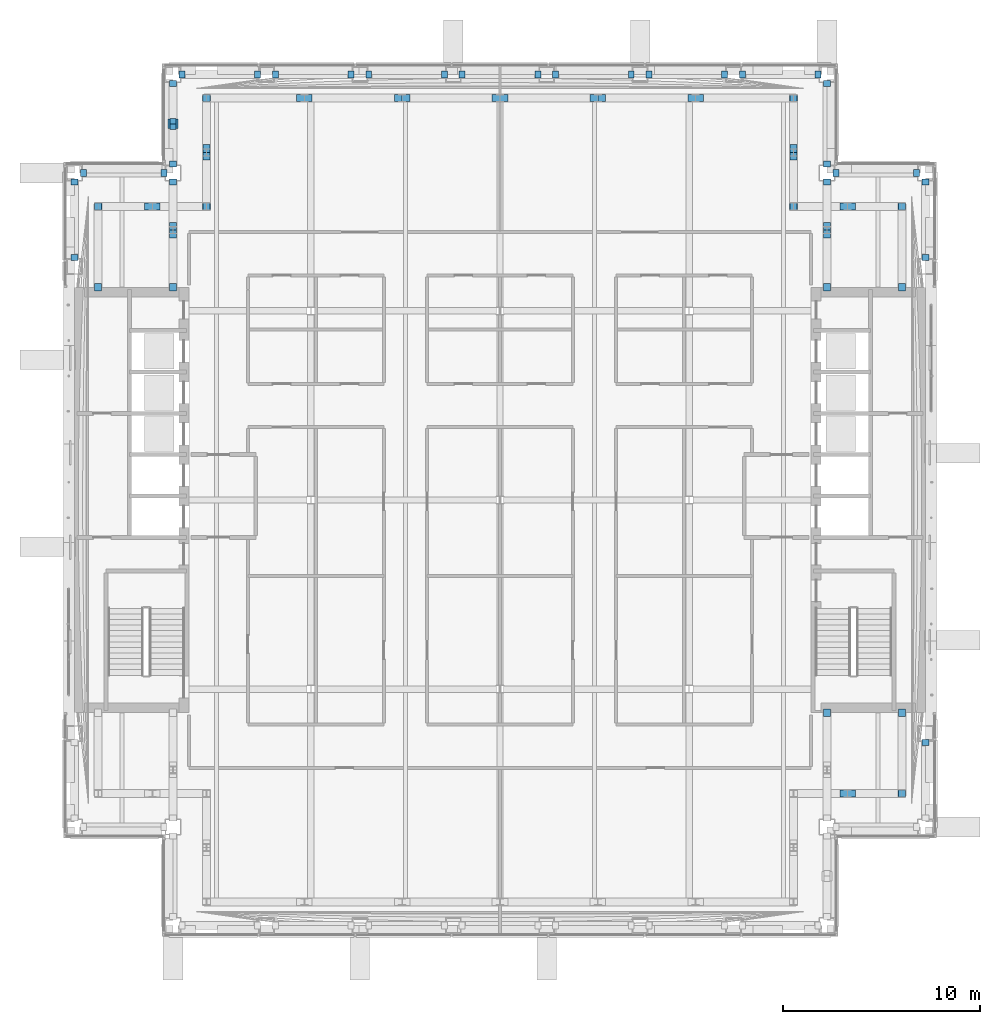
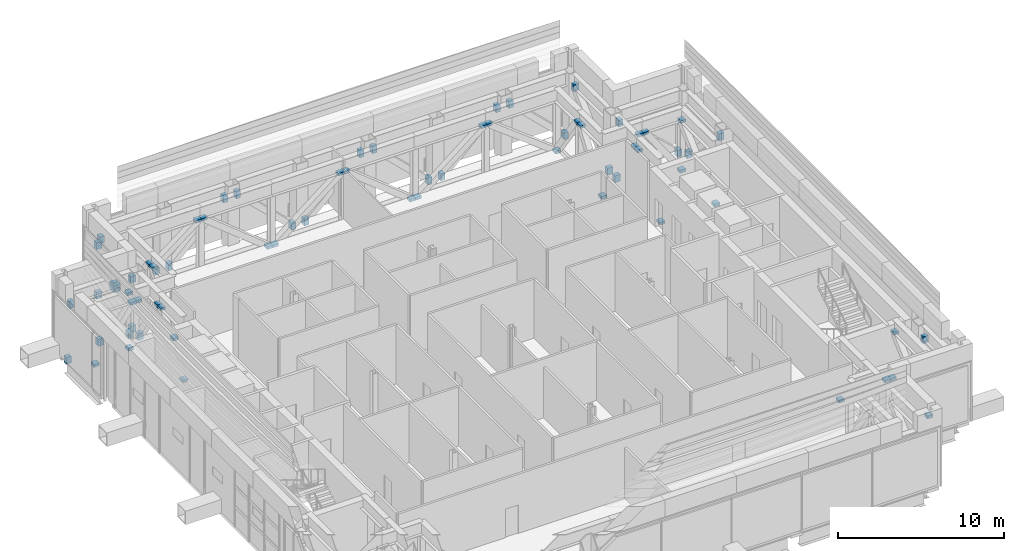
# One storey, part 15 of 29: 78 discrete accessories.
"""IFC4 building model written with IfcOpenShell, lengths in metres."""

from ifc_helpers import new_model, si_unit, direction, frame, origin, origin_2d, place, context, subcontext, project, spatial, rectangle, extrude, material, type_object, element, save


model = new_model("IFC4")

# Units and contexts
model_context = context("Model", 3, precision=1e-05, world=origin(), true_north=direction((0.0, 1.0)))
body_context = subcontext(model_context, "Body", "Model", "MODEL_VIEW")
ifc_project = project(units=[si_unit("LENGTHUNIT", "METRE"), si_unit("AREAUNIT", "SQUARE_METRE"), si_unit("VOLUMEUNIT", "CUBIC_METRE"), si_unit("PLANEANGLEUNIT", "RADIAN"), si_unit("MASSUNIT", "GRAM", prefix="KILO")], contexts=[model_context])

# Site, building, storey
site_placement = place(None, origin())
site = spatial("IfcSite", under=ifc_project, at=site_placement, CompositionType="ELEMENT")
building_placement = place(site_placement, origin())
building = spatial("IfcBuilding", under=site, at=building_placement, Name="Cobrizo Arcos Hotel Tower", CompositionType="ELEMENT")
storey_placement = place(building_placement, frame((0.0, 0.0, 186.5)))
storey = spatial("IfcBuildingStorey", under=building, at=storey_placement, Name="L48", CompositionType="ELEMENT", Elevation=186.5)

# Discrete accessories
ifc_material = material(Name="Steel ASTM A572 Grade 50", Category="steel")
discrete_accessory_type_1 = type_object("IfcDiscreteAccessoryType", Name="GP-2 node plate block 500x500x500", PredefinedType="BRACKET", material=ifc_material)
discrete_accessory_placement = place(storey_placement, frame((-16.60009765625, 19.10009765625, 1.27978515625), z_axis=(0.0, 0.0, 1.0), x_axis=(1.0, 0.0, 0.0)))
element("IfcDiscreteAccessory", 1, at=discrete_accessory_placement, inside=storey, type_object=discrete_accessory_type_1, Name="Gusset plate bt-td-L48-021", PredefinedType="BRACKET", context=body_context, shape_type="SweptSolid", body=[
    extrude(rectangle(XDim=0.5, YDim=0.5, at=origin_2d()), origin(), (0.0, 0.0, 1.0), 0.5),
])
discrete_accessory_type_2 = type_object("IfcDiscreteAccessoryType", Name="GP-3 truss end block 300x360x500", PredefinedType="BRACKET", material=ifc_material)
for number, where, z_axis, x_axis, name in (
    (2, (21.60009765625, -12.306884765625, 3.109375), (0.0, 0.0, 1.0), (0.0, -1.0, 0.0), "Truss end block"),
    (3, (21.60009765625, 12.306884765625, 3.109375), (0.0, 0.0, 1.0), (0.0, 1.0, 0.0), "Truss end block"),
    (4, (21.60009765625, 16.14990234375, -0.550048828125), (0.0, 0.0, 1.0), (0.0, -1.0, 0.0), "Truss end block"),
    (5, (21.14990234375, 16.60009765625, -0.550048828125), (0.0, 0.0, 1.0), (-1.0, 0.0, 0.0), "Truss end block"),
    (6, (17.050048828125, 16.60009765625, 3.109375), (0.0, 0.0, 1.0), (1.0, 0.0, 0.0), "Truss end block"),
    (7, (16.60009765625, 17.050048828125, -0.550048828125), (0.0, 0.0, 1.0), (0.0, 1.0, 0.0), "Truss end block"),
    (8, (16.60009765625, 21.14990234375, 3.109375), (0.0, 0.0, 1.0), (0.0, -1.0, 0.0), "Truss end block"),
    (9, (16.14990234375, 21.60009765625, -0.550048828125), (0.0, 0.0, 1.0), (-1.0, 0.0, 0.0), "Truss end block"),
    (10, (12.306884765625, 21.60009765625, 3.109375), (0.0, 0.0, 1.0), (1.0, 0.0, 0.0), "Truss end block"),
    (11, (11.406982421875, 21.60009765625, 3.109375), (0.0, 0.0, 1.0), (-1.0, 0.0, 0.0), "Truss end block"),
    (12, (7.56396484375, 21.60009765625, -0.550048828125), (0.0, 0.0, 1.0), (1.0, 0.0, 0.0), "Truss end block"),
    (13, (6.6640625, 21.60009765625, -0.550048828125), (0.0, 0.0, 1.0), (-1.0, 0.0, 0.0), "Truss end block"),
    (14, (2.821044921875, 21.60009765625, 3.109375), (0.0, 0.0, 1.0), (1.0, 0.0, 0.0), "Truss end block"),
    (15, (1.9208984375, 21.60009765625, 3.109375), (0.0, 0.0, 1.0), (-1.0, 0.0, 0.0), "Truss end block"),
    (16, (-1.9208984375, 21.60009765625, -0.550048828125), (0.0, 0.0, 1.0), (1.0, 0.0, 0.0), "Truss end block"),
    (17, (-2.821044921875, 21.60009765625, -0.550048828125), (0.0, 0.0, 1.0), (-1.0, 0.0, 0.0), "Truss end block"),
    (18, (-6.6640625, 21.60009765625, 3.109375), (0.0, 0.0, 1.0), (1.0, 0.0, 0.0), "Truss end block"),
    (19, (-7.56396484375, 21.60009765625, 3.109375), (0.0, 0.0, 1.0), (-1.0, 0.0, 0.0), "Truss end block"),
    (20, (-11.406982421875, 21.60009765625, -0.550048828125), (0.0, 0.0, 1.0), (1.0, 0.0, 0.0), "Truss end block"),
    (21, (-12.306884765625, 21.60009765625, -0.550048828125), (0.0, 0.0, 1.0), (-1.0, 0.0, 0.0), "Truss end block"),
    (22, (-16.14990234375, 21.60009765625, 3.109375), (0.0, 0.0, 1.0), (1.0, 0.0, 0.0), "Truss end block"),
    (23, (-16.60009765625, 21.14990234375, -0.550048828125), (0.0, 0.0, 1.0), (0.0, -1.0, 0.0), "Truss end block"),
    (24, (-16.60009765625, 17.050048828125, 3.109375), (0.0, 0.0, 1.0), (0.0, 1.0, 0.0), "Truss end block"),
    (25, (-17.050048828125, 16.60009765625, -0.550048828125), (0.0, 0.0, 1.0), (-1.0, 0.0, 0.0), "Truss end block"),
    (26, (-21.14990234375, 16.60009765625, 3.109375), (0.0, 0.0, 1.0), (1.0, 0.0, 0.0), "Truss end block"),
    (27, (-21.60009765625, 16.14990234375, -0.550048828125), (0.0, 0.0, 1.0), (0.0, -1.0, 0.0), "Truss end block"),
    (28, (-21.60009765625, 12.306884765625, 3.109375), (0.0, 0.0, 1.0), (0.0, 1.0, 0.0), "Truss end block"),
    (29, (16.60009765625, 16.14990234375, -0.550048828125), (0.0, 0.0, 1.0), (0.0, -1.0, 0.0), "Truss end block"),
    (30, (-16.60009765625, 16.14990234375, -0.550048828125), (0.0, 0.0, 1.0), (0.0, -1.0, 0.0), "Truss end block"),
    (31, (-16.60009765625, 17.050048828125, -0.550048828125), (0.0, 0.0, 1.0), (0.0, 1.0, 0.0), "Truss end block"),
    (32, (-16.60009765625, 21.14990234375, 3.109375), (0.0, 0.0, 1.0), (0.0, -1.0, 0.0), "Truss end block"),
):
    element("IfcDiscreteAccessory", number, at=place(storey_placement, frame(where, z_axis=z_axis, x_axis=x_axis)), inside=storey, type_object=discrete_accessory_type_2, Name=name, PredefinedType="BRACKET", context=body_context, shape_type="SweptSolid", body=[
        extrude(rectangle(XDim=0.300048828125, YDim=0.360107421875, at=origin_2d()), origin(), (0.0, 0.0, 1.0), 0.5),
    ])
discrete_accessory_type_3 = type_object("IfcDiscreteAccessoryType", Name="GP-4 truss chord plate 400x360x200", PredefinedType="BRACKET", material=ifc_material)
for number, where, z_axis, x_axis, name in (
    (33, (17.449951171875, -14.89990234375, 3.25927734375), (0.0, 0.0, 1.0), (1.0, 0.0, 0.0), "Truss chord plate"),
    (34, (17.85009765625, -14.89990234375, 3.25927734375), (0.0, 0.0, 1.0), (1.0, 0.0, 0.0), "Truss chord plate"),
    (35, (20.39990234375, -14.89990234375, -0.39990234375), (0.0, 0.0, 1.0), (1.0, 0.0, 0.0), "Truss chord plate"),
    (36, (20.39990234375, -14.89990234375, -0.39990234375), (0.0, 0.0, 1.0), (0.0, 1.0, 0.0), "Truss chord plate"),
    (37, (20.39990234375, -10.801025390625, 3.25927734375), (0.0, 0.0, 1.0), (0.0, 1.0, 0.0), "Truss chord plate"),
    (38, (20.39990234375, 10.801025390625, -0.39990234375), (0.0, 0.0, 1.0), (0.0, 1.0, 0.0), "Truss chord plate"),
    (39, (20.39990234375, 14.89990234375, 3.25927734375), (0.0, 0.0, 1.0), (0.0, 1.0, 0.0), "Truss chord plate"),
    (40, (20.39990234375, 14.89990234375, -0.39990234375), (0.0, 0.0, 1.0), (-1.0, 0.0, 0.0), "Truss chord plate"),
    (41, (17.85009765625, 14.89990234375, 3.25927734375), (0.0, 0.0, 1.0), (-1.0, 0.0, 0.0), "Truss chord plate"),
    (42, (17.449951171875, 14.89990234375, 3.25927734375), (0.0, 0.0, 1.0), (-1.0, 0.0, 0.0), "Truss chord plate"),
    (43, (14.89990234375, 14.89990234375, -0.39990234375), (0.0, 0.0, 1.0), (-1.0, 0.0, 0.0), "Truss chord plate"),
    (44, (14.89990234375, 14.89990234375, -0.39990234375), (0.0, 0.0, 1.0), (0.0, 1.0, 0.0), "Truss chord plate"),
    (45, (14.89990234375, 17.449951171875, 3.25927734375), (0.0, 0.0, 1.0), (0.0, 1.0, 0.0), "Truss chord plate"),
    (46, (14.89990234375, 17.85009765625, 3.25927734375), (0.0, 0.0, 1.0), (0.0, 1.0, 0.0), "Truss chord plate"),
    (47, (14.89990234375, 20.39990234375, -0.39990234375), (0.0, 0.0, 1.0), (0.0, 1.0, 0.0), "Truss chord plate"),
    (48, (14.89990234375, 20.39990234375, -0.39990234375), (0.0, 0.0, 1.0), (-1.0, 0.0, 0.0), "Truss chord plate"),
    (49, (10.133056640625, 20.39990234375, 3.25927734375), (0.0, 0.0, 1.0), (-1.0, 0.0, 0.0), "Truss chord plate"),
    (50, (9.73291015625, 20.39990234375, 3.25927734375), (0.0, 0.0, 1.0), (-1.0, 0.0, 0.0), "Truss chord plate"),
    (51, (5.1669921875, 20.39990234375, -0.39990234375), (0.0, 0.0, 1.0), (-1.0, 0.0, 0.0), "Truss chord plate"),
    (52, (4.76708984375, 20.39990234375, -0.39990234375), (0.0, 0.0, 1.0), (-1.0, 0.0, 0.0), "Truss chord plate"),
    (53, (0.199951171875, 20.39990234375, 3.25927734375), (0.0, 0.0, 1.0), (-1.0, 0.0, 0.0), "Truss chord plate"),
    (54, (-0.199951171875, 20.39990234375, 3.25927734375), (0.0, 0.0, 1.0), (-1.0, 0.0, 0.0), "Truss chord plate"),
    (55, (-4.76708984375, 20.39990234375, -0.39990234375), (0.0, 0.0, 1.0), (-1.0, 0.0, 0.0), "Truss chord plate"),
    (56, (-5.1669921875, 20.39990234375, -0.39990234375), (0.0, 0.0, 1.0), (-1.0, 0.0, 0.0), "Truss chord plate"),
    (57, (-9.73291015625, 20.39990234375, 3.25927734375), (0.0, 0.0, 1.0), (-1.0, 0.0, 0.0), "Truss chord plate"),
    (58, (-10.133056640625, 20.39990234375, 3.25927734375), (0.0, 0.0, 1.0), (-1.0, 0.0, 0.0), "Truss chord plate"),
    (59, (-14.89990234375, 20.39990234375, -0.39990234375), (0.0, 0.0, 1.0), (-1.0, 0.0, 0.0), "Truss chord plate"),
    (60, (-14.89990234375, 20.39990234375, -0.39990234375), (0.0, 0.0, 1.0), (0.0, -1.0, 0.0), "Truss chord plate"),
    (61, (-14.89990234375, 17.85009765625, 3.25927734375), (0.0, 0.0, 1.0), (0.0, -1.0, 0.0), "Truss chord plate"),
    (62, (-14.89990234375, 17.449951171875, 3.25927734375), (0.0, 0.0, 1.0), (0.0, -1.0, 0.0), "Truss chord plate"),
    (63, (-14.89990234375, 14.89990234375, -0.39990234375), (0.0, 0.0, 1.0), (0.0, -1.0, 0.0), "Truss chord plate"),
    (64, (-14.89990234375, 14.89990234375, -0.39990234375), (0.0, 0.0, 1.0), (-1.0, 0.0, 0.0), "Truss chord plate"),
    (65, (-17.449951171875, 14.89990234375, 3.25927734375), (0.0, 0.0, 1.0), (-1.0, 0.0, 0.0), "Truss chord plate"),
    (66, (-17.85009765625, 14.89990234375, 3.25927734375), (0.0, 0.0, 1.0), (-1.0, 0.0, 0.0), "Truss chord plate"),
    (67, (-20.39990234375, 14.89990234375, -0.39990234375), (0.0, 0.0, 1.0), (-1.0, 0.0, 0.0), "Truss chord plate"),
    (68, (-20.39990234375, 14.89990234375, -0.39990234375), (0.0, 0.0, 1.0), (0.0, -1.0, 0.0), "Truss chord plate"),
    (69, (-20.39990234375, 10.801025390625, 3.25927734375), (0.0, 0.0, 1.0), (0.0, -1.0, 0.0), "Truss chord plate"),
    (70, (16.60009765625, -10.800048828125, -0.39990234375), (0.0, 0.0, 1.0), (0.0, -1.0, 0.0), "Truss chord plate"),
    (71, (16.60009765625, 10.800048828125, -0.39990234375), (0.0, 0.0, 1.0), (0.0, 1.0, 0.0), "Truss chord plate"),
    (72, (16.60009765625, 13.5, 3.25927734375), (0.0, 0.0, 1.0), (0.0, 1.0, 0.0), "Truss chord plate"),
    (73, (16.60009765625, 13.89990234375, 3.25927734375), (0.0, 0.0, 1.0), (0.0, 1.0, 0.0), "Truss chord plate"),
    (74, (-16.60009765625, 10.800048828125, -0.39990234375), (0.0, 0.0, 1.0), (0.0, 1.0, 0.0), "Truss chord plate"),
    (75, (-16.60009765625, 13.5, 3.25927734375), (0.0, 0.0, 1.0), (0.0, 1.0, 0.0), "Truss chord plate"),
    (76, (-16.60009765625, 13.89990234375, 3.25927734375), (0.0, 0.0, 1.0), (0.0, 1.0, 0.0), "Truss chord plate"),
):
    element("IfcDiscreteAccessory", number, at=place(storey_placement, frame(where, z_axis=z_axis, x_axis=x_axis)), inside=storey, type_object=discrete_accessory_type_3, Name=name, PredefinedType="BRACKET", context=body_context, shape_type="SweptSolid", body=[
        extrude(rectangle(XDim=0.39990234375, YDim=0.360107421875, at=origin_2d()), origin(), (0.0, 0.0, 1.0), 0.199951171875),
    ])
discrete_accessory_type_4 = type_object("IfcDiscreteAccessoryType", Name="GP-5 brace end plate 300x300x300", PredefinedType="BRACKET", material=ifc_material)
for number, where, z_axis, x_axis, name in (
    (77, (-16.60009765625, 18.970947265625, 1.2626953125), (0.0, 0.0, 1.0), (1.0, 0.0, 0.0), "Brace end plate"),
    (78, (-16.60009765625, 19.22900390625, 1.49658203125), (0.0, 0.0, 1.0), (1.0, 0.0, 0.0), "Brace end plate"),
):
    element("IfcDiscreteAccessory", number, at=place(storey_placement, frame(where, z_axis=z_axis, x_axis=x_axis)), inside=storey, type_object=discrete_accessory_type_4, Name=name, PredefinedType="BRACKET", context=body_context, shape_type="SweptSolid", body=[
        extrude(rectangle(XDim=0.300048828125, YDim=0.300048828125, at=origin_2d()), origin(), (0.0, 0.0, 1.0), 0.300048828125),
    ])

save(model, "model.ifc")
